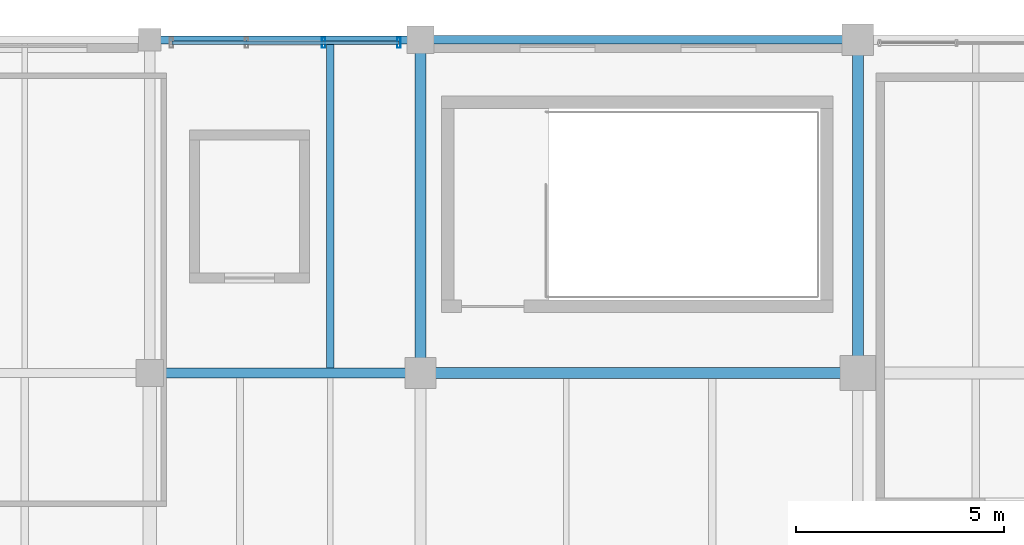
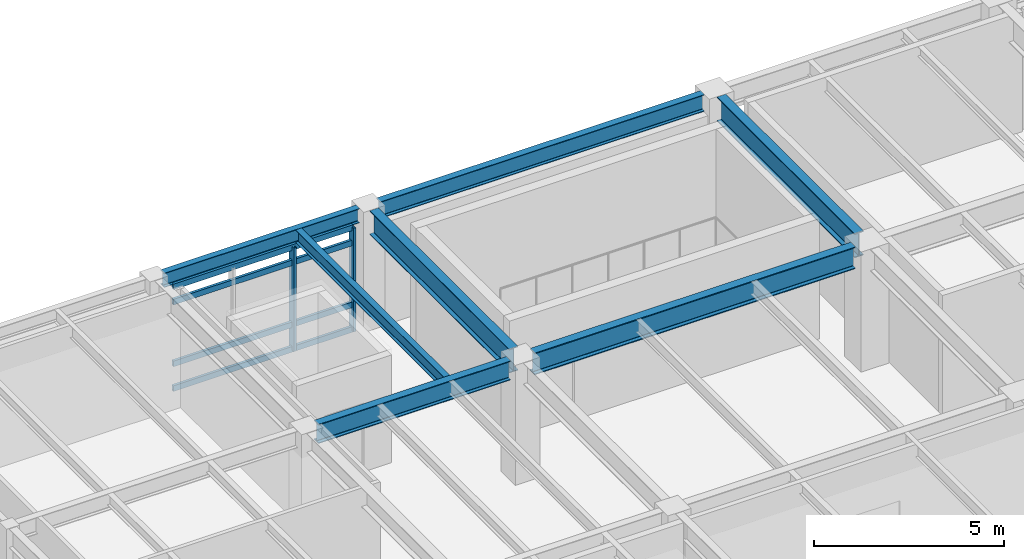
# One storey, part 8 of 26: 7 beams, 6 members, 1 element without a shape of its own.
"""IFC4 building model written with IfcOpenShell, lengths in metres."""

from ifc_helpers import new_model, si_unit, direction, frame, origin, origin_2d, place, context, subcontext, project, spatial, hollow_rectangle, i_section, extrude, material, material_profile, profile_set, type_object, element, aggregate, save


model = new_model("IFC4")

# Units and contexts
model_context = context("Model", 3, precision=1e-05, world=origin(), true_north=direction((0.0, 1.0)))
body_context = subcontext(model_context, "Body", "Model", "MODEL_VIEW")
ifc_project = project(units=[si_unit("LENGTHUNIT", "METRE"), si_unit("AREAUNIT", "SQUARE_METRE"), si_unit("VOLUMEUNIT", "CUBIC_METRE"), si_unit("PLANEANGLEUNIT", "RADIAN"), si_unit("MASSUNIT", "GRAM", prefix="KILO"), si_unit("THERMODYNAMICTEMPERATUREUNIT", "KELVIN"), si_unit("POWERUNIT", "WATT")], contexts=[model_context])

# Site, building, storey
site_placement = place(None, origin())
site = spatial("IfcSite", under=ifc_project, at=site_placement, CompositionType="ELEMENT")
building_placement = place(site_placement, origin())
building = spatial("IfcBuilding", under=site, at=building_placement, Name="Tepalcoro Natatorium and Aquatics Centre", CompositionType="ELEMENT")
storey_placement = place(building_placement, frame((0.0, 0.0, 19.0)))
storey = spatial("IfcBuildingStorey", under=building, at=storey_placement, Name="L04", CompositionType="ELEMENT", Elevation=19.0)

# Beams
ifc_material_1 = material(Name="Steel ASTM A992 Grade 50 (Fy 345 MPa)", Category="steel")
ifc_material_profile_1 = material_profile(ifc_material_1, i_section(OverallWidth=0.22998046875, OverallDepth=0.616943359375, WebThickness=0.012939453125, FlangeThickness=0.02197265625, FilletRadius=0.013916015625, at=origin_2d()), Name="W24X94")
ifc_profile_set_1 = profile_set([ifc_material_profile_1], Name="Steel ASTM A992 Grade 50 (Fy 345 MPa)")
beam_type_1 = type_object("IfcBeamType", Name="BM_W24x94", PredefinedType="BEAM", material=ifc_profile_set_1)
beam_1_placement = place(storey_placement, frame((125.31005859375, 110.0, 3.526611328125), z_axis=(1.0, 0.0, 0.0), x_axis=(0.0, 1.0, 0.0)))
element("IfcBeam", 1, at=beam_1_placement, inside=storey, type_object=beam_type_1, Name="V5 L04 Grid Girder X", PredefinedType="BEAM", context=body_context, shape_type="SweptSolid", body=[
    extrude(i_section(OverallWidth=0.22998046875, OverallDepth=0.616943359375, WebThickness=0.012939453125, FlangeThickness=0.02197265625, FilletRadius=0.013916015625, at=origin_2d()), origin(), (0.0, 0.0, 1.0), 5.829833984375),
])
ifc_material_profile_2 = material_profile(ifc_material_1, i_section(OverallWidth=0.25390625, OverallDepth=0.700927734375, WebThickness=0.014892578125, FlangeThickness=0.028076171875, FilletRadius=0.013916015625, at=origin_2d()), Name="W27X129")
ifc_profile_set_2 = profile_set([ifc_material_profile_2], Name="Steel ASTM A992 Grade 50 (Fy 345 MPa)")
beam_type_2 = type_object("IfcBeamType", Name="BM_W27x129", PredefinedType="BEAM", material=ifc_profile_set_2)
beam_2_placement = place(storey_placement, frame((131.860107421875, 110.0, 3.484619140625), z_axis=(1.0, 0.0, 0.0), x_axis=(0.0, 1.0, 0.0)))
element("IfcBeam", 2, at=beam_2_placement, inside=storey, type_object=beam_type_2, Name="V5 L04 Grid Girder X", PredefinedType="BEAM", context=body_context, shape_type="SweptSolid", body=[
    extrude(i_section(OverallWidth=0.25390625, OverallDepth=0.700927734375, WebThickness=0.014892578125, FlangeThickness=0.028076171875, FilletRadius=0.013916015625, at=origin_2d()), origin(), (0.0, 0.0, 1.0), 9.72998046875),
])
ifc_material_profile_3 = material_profile(ifc_material_1, i_section(OverallWidth=0.26708984375, OverallDepth=0.761962890625, WebThickness=0.013916015625, FlangeThickness=0.02197265625, FilletRadius=0.013916015625, at=origin_2d()), Name="W30X116")
ifc_profile_set_3 = profile_set([ifc_material_profile_3], Name="Steel ASTM A992 Grade 50 (Fy 345 MPa)")
beam_type_3 = type_object("IfcBeamType", Name="BM_W30x116", PredefinedType="BEAM", material=ifc_profile_set_3)
beam_3_placement = place(storey_placement, frame((131.5, 110.360107421875, 3.4541015625), z_axis=(0.0, 1.0, 0.0), x_axis=(-1.0, 0.0, 0.0)))
element("IfcBeam", 3, at=beam_3_placement, inside=storey, type_object=beam_type_3, Name="V5 L04 Grid Girder Y", PredefinedType="BEAM", context=body_context, shape_type="SweptSolid", body=[
    extrude(i_section(OverallWidth=0.26708984375, OverallDepth=0.761962890625, WebThickness=0.013916015625, FlangeThickness=0.02197265625, FilletRadius=0.013916015625, at=origin_2d()), origin(), (0.0, 0.0, 1.0), 7.329833984375),
])
ifc_material_profile_4 = material_profile(ifc_material_1, i_section(OverallWidth=0.26708984375, OverallDepth=0.780029296875, WebThickness=0.01708984375, FlangeThickness=0.030029296875, FilletRadius=0.013916015625, at=origin_2d()), Name="W30X148")
ifc_profile_set_4 = profile_set([ifc_material_profile_4], Name="Steel ASTM A992 Grade 50 (Fy 345 MPa)")
beam_type_4 = type_object("IfcBeamType", Name="BM_W30x148", PredefinedType="BEAM", material=ifc_profile_set_4)
beam_4_placement = place(storey_placement, frame((142.0, 110.409912109375, 3.445068359375), z_axis=(0.0, 1.0, 0.0), x_axis=(-1.0, 0.0, 0.0)))
element("IfcBeam", 4, at=beam_4_placement, inside=storey, type_object=beam_type_4, Name="V5 L04 Grid Girder Y", PredefinedType="BEAM", context=body_context, shape_type="SweptSolid", body=[
    extrude(i_section(OverallWidth=0.26708984375, OverallDepth=0.780029296875, WebThickness=0.01708984375, FlangeThickness=0.030029296875, FilletRadius=0.013916015625, at=origin_2d()), origin(), (0.0, 0.0, 1.0), 7.22998046875),
])

# Curtain wall, members
ifc_material_2 = material(Name="Bronze-Anodised Extruded Aluminium Alloy EN AW-6063 T6", Category="aluminium")
curtain_wall_type = type_object("IfcCurtainWallType", Name="CW_LEAN_T1_EW", PredefinedType="USERDEFINED", material=ifc_material_2)
curtain_wall_placement = place(storey_placement, origin())
curtain_wall = element("IfcCurtainWall", 5, at=curtain_wall_placement, inside=storey, type_object=curtain_wall_type, Name="V5 L04 N Unitised Curtain Wall Bay 2", ObjectType="FACETED SOLAR GLAZING", PredefinedType="USERDEFINED")
ifc_material_profile_5 = material_profile(ifc_material_2, hollow_rectangle(XDim=0.080078125, YDim=0.239990234375, WallThickness=0.0048828125, at=origin_2d()), Name="AL80X240X5")
ifc_profile_set_5 = profile_set([ifc_material_profile_5], Name="Bronze-Anodised Extruded Aluminium Alloy EN AW-6063 T6")
member_type_1 = type_object("IfcMemberType", Name="CW_MUL_80x240", PredefinedType="MULLION", material=ifc_profile_set_5)
member_1_placement = place(storey_placement, frame((129.17333984375, 117.9287109375, 0.02001953125), z_axis=(0.0, 0.0, 1.0), x_axis=(1.0, 0.0, 0.0)))
member_1 = element("IfcMember", 6, at=member_1_placement, type_object=member_type_1, Name="CW_LEAN_T1_EW Curtain Wall Mullion", PredefinedType="MULLION", context=body_context, shape_type="SweptSolid", body=[
    extrude(hollow_rectangle(XDim=0.080078125, YDim=0.239990234375, WallThickness=0.0048828125, at=origin_2d()), origin(), (0.0, 0.0, 1.0), 3.320068359375),
])
member_2_placement = place(storey_placement, frame((130.97998046875, 117.9287109375, 0.02001953125), z_axis=(0.0, 0.0, 1.0), x_axis=(1.0, 0.0, 0.0)))
member_2 = element("IfcMember", 7, at=member_2_placement, type_object=member_type_1, Name="CW_LEAN_T1_EW Curtain Wall Mullion", PredefinedType="MULLION", context=body_context, shape_type="SweptSolid", body=[
    extrude(hollow_rectangle(XDim=0.080078125, YDim=0.239990234375, WallThickness=0.0048828125, at=origin_2d()), origin(), (0.0, 0.0, 1.0), 3.320068359375),
])
ifc_material_profile_6 = material_profile(ifc_material_2, hollow_rectangle(XDim=0.080078125, YDim=0.179931640625, WallThickness=0.0048828125, at=origin_2d()), Name="AL80X180X5")
ifc_profile_set_6 = profile_set([ifc_material_profile_6], Name="Bronze-Anodised Extruded Aluminium Alloy EN AW-6063 T6")
member_type_2 = type_object("IfcMemberType", Name="CW_TRN_80x180", PredefinedType="USERDEFINED", material=ifc_profile_set_6)
member_3_placement = place(storey_placement, frame((125.530029296875, 117.9287109375, 0.050048828125), z_axis=(1.0, 0.0, 0.0), x_axis=(0.0, 1.0, 0.0)))
member_3 = element("IfcMember", 8, at=member_3_placement, type_object=member_type_2, Name="CW_LEAN_T1_EW Curtain Wall Transom", ObjectType="TRANSOM", PredefinedType="USERDEFINED", context=body_context, shape_type="SweptSolid", body=[
    extrude(hollow_rectangle(XDim=0.080078125, YDim=0.179931640625, WallThickness=0.0048828125, at=origin_2d()), origin(), (0.0, 0.0, 1.0), 5.43994140625),
])
member_4_placement = place(storey_placement, frame((125.530029296875, 117.9287109375, 0.840087890625), z_axis=(1.0, 0.0, 0.0), x_axis=(0.0, 1.0, 0.0)))
member_4 = element("IfcMember", 9, at=member_4_placement, type_object=member_type_2, Name="CW_LEAN_T1_EW Curtain Wall Transom", ObjectType="TRANSOM", PredefinedType="USERDEFINED", context=body_context, shape_type="SweptSolid", body=[
    extrude(hollow_rectangle(XDim=0.080078125, YDim=0.179931640625, WallThickness=0.0048828125, at=origin_2d()), origin(), (0.0, 0.0, 1.0), 5.43994140625),
])
member_5_placement = place(storey_placement, frame((125.530029296875, 117.9287109375, 2.822509765625), z_axis=(1.0, 0.0, 0.0), x_axis=(0.0, 1.0, 0.0)))
member_5 = element("IfcMember", 10, at=member_5_placement, type_object=member_type_2, Name="CW_LEAN_T1_EW Curtain Wall Transom", ObjectType="TRANSOM", PredefinedType="USERDEFINED", context=body_context, shape_type="SweptSolid", body=[
    extrude(hollow_rectangle(XDim=0.080078125, YDim=0.179931640625, WallThickness=0.0048828125, at=origin_2d()), origin(), (0.0, 0.0, 1.0), 5.43994140625),
])
member_6_placement = place(storey_placement, frame((125.530029296875, 117.9287109375, 3.31005859375), z_axis=(1.0, 0.0, 0.0), x_axis=(0.0, 1.0, 0.0)))
member_6 = element("IfcMember", 11, at=member_6_placement, type_object=member_type_2, Name="CW_LEAN_T1_EW Curtain Wall Transom", ObjectType="TRANSOM", PredefinedType="USERDEFINED", context=body_context, shape_type="SweptSolid", body=[
    extrude(hollow_rectangle(XDim=0.080078125, YDim=0.179931640625, WallThickness=0.0048828125, at=origin_2d()), origin(), (0.0, 0.0, 1.0), 5.43994140625),
])
aggregate(curtain_wall, [member_1, member_2, member_3, member_4, member_5, member_6])

# Beams
ifc_material_profile_7 = material_profile(ifc_material_1, i_section(OverallWidth=0.178955078125, OverallDepth=0.409912109375, WebThickness=0.009033203125, FlangeThickness=0.013916015625, FilletRadius=0.013916015625, at=origin_2d()), Name="W16X45")
ifc_profile_set_7 = profile_set([ifc_material_profile_7], Name="Steel ASTM A992 Grade 50 (Fy 345 MPa)")
beam_type_5 = type_object("IfcBeamType", Name="JS_W16x45", PredefinedType="JOIST", material=ifc_profile_set_7)
beam_5_placement = place(storey_placement, frame((129.333251953125, 110.114990234375, 3.6298828125), z_axis=(0.0, 1.0, 0.0), x_axis=(-1.0, 0.0, 0.0)))
element("IfcBeam", 12, at=beam_5_placement, inside=storey, type_object=beam_type_5, Name="V5 L04 Floor Joist", PredefinedType="JOIST", context=body_context, shape_type="SweptSolid", body=[
    extrude(i_section(OverallWidth=0.178955078125, OverallDepth=0.409912109375, WebThickness=0.009033203125, FlangeThickness=0.013916015625, FilletRadius=0.013916015625, at=origin_2d()), origin(), (0.0, 0.0, 1.0), 7.78955078125),
])
ifc_material_profile_8 = material_profile(ifc_material_1, i_section(OverallWidth=0.19091796875, OverallDepth=0.4599609375, WebThickness=0.010009765625, FlangeThickness=0.01611328125, FilletRadius=0.013916015625, at=origin_2d()), Name="W18X55")
ifc_profile_set_8 = profile_set([ifc_material_profile_8], Name="Steel ASTM A992 Grade 50 (Fy 345 MPa)")
beam_type_6 = type_object("IfcBeamType", Name="SP_W18x55", PredefinedType="SPANDREL", material=ifc_profile_set_8)
beam_6_placement = place(storey_placement, frame((125.260009765625, 118.0, 3.60498046875), z_axis=(1.0, 0.0, 0.0), x_axis=(0.0, 1.0, 0.0)))
element("IfcBeam", 13, at=beam_6_placement, inside=storey, type_object=beam_type_6, Name="V5 L04 Grid Girder X", PredefinedType="SPANDREL", context=body_context, shape_type="SweptSolid", body=[
    extrude(i_section(OverallWidth=0.19091796875, OverallDepth=0.4599609375, WebThickness=0.010009765625, FlangeThickness=0.01611328125, FilletRadius=0.013916015625, at=origin_2d()), origin(), (0.0, 0.0, 1.0), 5.929931640625),
])
ifc_material_profile_9 = material_profile(ifc_material_1, i_section(OverallWidth=0.2099609375, OverallDepth=0.535888671875, WebThickness=0.010986328125, FlangeThickness=0.01708984375, FilletRadius=0.013916015625, at=origin_2d()), Name="W21X68")
ifc_profile_set_9 = profile_set([ifc_material_profile_9], Name="Steel ASTM A992 Grade 50 (Fy 345 MPa)")
beam_type_7 = type_object("IfcBeamType", Name="SP_W21x68", PredefinedType="SPANDREL", material=ifc_profile_set_9)
beam_7_placement = place(storey_placement, frame((131.81005859375, 118.0, 3.56689453125), z_axis=(1.0, 0.0, 0.0), x_axis=(0.0, 1.0, 0.0)))
element("IfcBeam", 14, at=beam_7_placement, inside=storey, type_object=beam_type_7, Name="V5 L04 Grid Girder X", PredefinedType="SPANDREL", context=body_context, shape_type="SweptSolid", body=[
    extrude(i_section(OverallWidth=0.2099609375, OverallDepth=0.535888671875, WebThickness=0.010986328125, FlangeThickness=0.01708984375, FilletRadius=0.013916015625, at=origin_2d()), origin(), (0.0, 0.0, 1.0), 9.829833984375),
])

save(model, "model.ifc")
